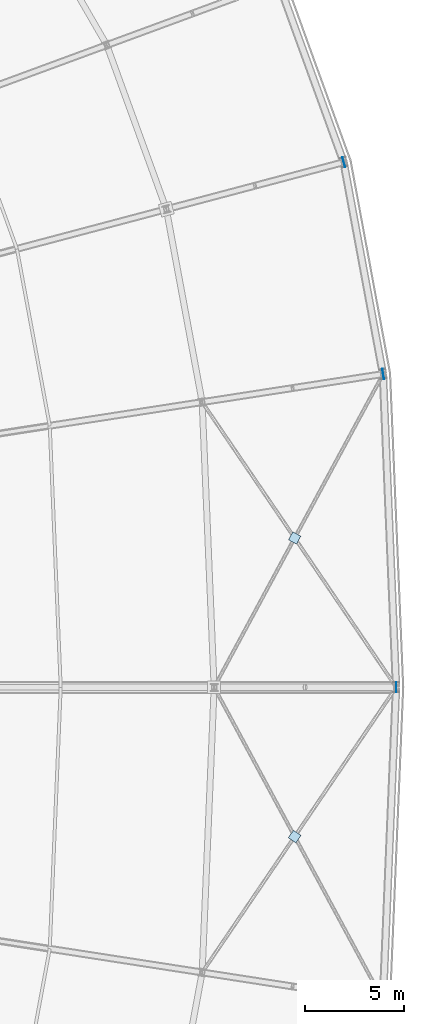
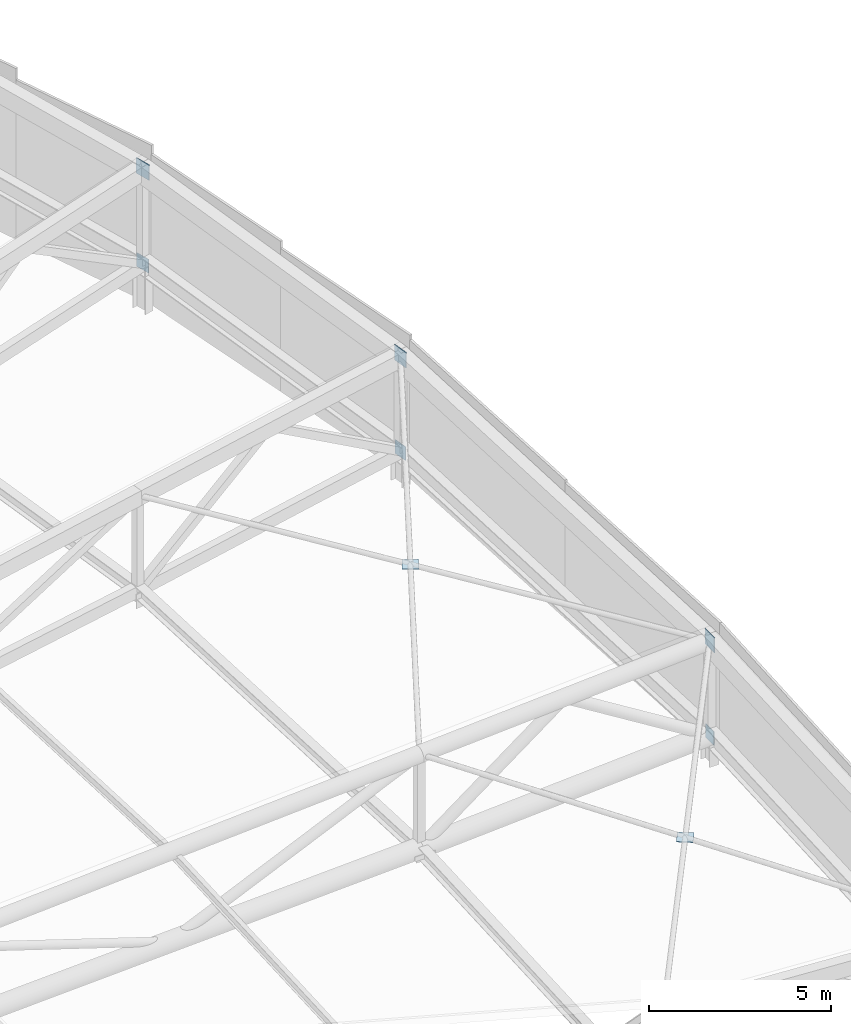
# One storey, part 129 of 143: 8 plates.
"""IFC4 building model written with IfcOpenShell, lengths in metres."""

from ifc_helpers import new_model, si_unit, direction, frame, origin, origin_2d, place, context, subcontext, project, spatial, rectangle, extrude, material, layer, layer_set, type_object, element, save


model = new_model("IFC4")

# Units and contexts
model_context = context("Model", 3, precision=1e-05, world=origin(), true_north=direction((0.0, 1.0)))
body_context = subcontext(model_context, "Body", "Model", "MODEL_VIEW")
ifc_project = project(units=[si_unit("LENGTHUNIT", "METRE"), si_unit("AREAUNIT", "SQUARE_METRE"), si_unit("VOLUMEUNIT", "CUBIC_METRE"), si_unit("PLANEANGLEUNIT", "RADIAN"), si_unit("MASSUNIT", "GRAM", prefix="KILO")], contexts=[model_context])

# Site, building, storey
site_placement = place(None, origin())
site = spatial("IfcSite", under=ifc_project, at=site_placement, CompositionType="ELEMENT")
building_placement = place(site_placement, origin())
building = spatial("IfcBuilding", under=site, at=building_placement, Name="Mphavela Belvedere Stadium", CompositionType="ELEMENT")
storey_placement = place(building_placement, frame((0.0, 0.0, 28.800048828125)))
storey = spatial("IfcBuildingStorey", under=building, at=storey_placement, Name="RF", CompositionType="ELEMENT", Elevation=28.800048828125)

# Plates
ifc_material_1 = material(Name="Steel S355", Category="steel")
ifc_layer_1 = layer(ifc_material_1, 0.01806640625)
ifc_layer_set_1 = layer_set([ifc_layer_1], Name="Steel S355")
plate_type_1 = type_object("IfcPlateType", Name="PLT-CAP-TRUSS-BC", PredefinedType="USERDEFINED", material=ifc_layer_set_1)
plate_1_placement = place(storey_placement, frame((217.820068359375, 87.0, 0.680908203125), z_axis=(0.0, 0.0, 1.0), x_axis=(1.0, 0.0, 0.0)))
element("IfcPlate", 1, at=plate_1_placement, inside=storey, type_object=plate_type_1, Name="Roof truss RT-01 hollow-end cap plate out_bc", ObjectType="GUSSET_PLATE", PredefinedType="USERDEFINED", context=body_context, shape_type="SweptSolid", body=[
    extrude(rectangle(XDim=0.01806640625, YDim=0.4599609375, at=origin_2d()), origin(), (0.0, 0.0, 1.0), 0.4599609375),
])
plate_2_placement = place(storey_placement, frame((212.6796875, 94.55078125, 3.826416015625), z_axis=(0.0, 0.0, 1.0), x_axis=(0.474856389871, 0.880063298291, 0.0)))
element("IfcPlate", 2, at=plate_2_placement, inside=storey, type_object=plate_type_1, Name="Roof X-brace crossing gusset node plate 01", ObjectType="GUSSET_PLATE", PredefinedType="USERDEFINED", context=body_context, shape_type="SweptSolid", body=[
    extrude(rectangle(XDim=0.4599609375, YDim=0.4599609375, at=origin_2d()), origin(), (0.0, 0.0, 1.0), 0.01806640625),
])
for number, where, z_axis, x_axis, name in (
    (3, (217.155517578125, 102.844970703125, 0.844482421875), (0.0, 0.0, 1.0), (0.98817491911, 0.153330783737, 0.0), "Roof truss RT-02 hollow-end cap plate out_bc"),
    (4, (215.16455078125, 113.5625, 1.323974609375), (0.0, 0.0, 1.0), (0.966600102017, 0.256289373133, 0.0), "Roof truss RT-03 hollow-end cap plate out_bc"),
):
    element("IfcPlate", number, at=place(storey_placement, frame(where, z_axis=z_axis, x_axis=x_axis)), inside=storey, type_object=plate_type_1, Name=name, ObjectType="GUSSET_PLATE", PredefinedType="USERDEFINED", context=body_context, shape_type="SweptSolid", body=[
        extrude(rectangle(XDim=0.01806640625, YDim=0.4599609375, at=origin_2d()), origin(), (0.0, 0.0, 1.0), 0.4599609375),
    ])
plate_3_placement = place(storey_placement, frame((212.6796875, 79.44921875, 3.826416015625), z_axis=(0.0, 0.0, 1.0), x_axis=(0.562804927695, 0.826589749127, 0.0)))
element("IfcPlate", 5, at=plate_3_placement, inside=storey, type_object=plate_type_1, Name="Roof X-brace crossing gusset node plate 48", ObjectType="GUSSET_PLATE", PredefinedType="USERDEFINED", context=body_context, shape_type="SweptSolid", body=[
    extrude(rectangle(XDim=0.4599609375, YDim=0.4599609375, at=origin_2d()), origin(), (0.0, 0.0, 1.0), 0.01806640625),
])
ifc_material_2 = material(Name="Steel S355", Category="steel")
ifc_layer_2 = layer(ifc_material_2, 0.02001953125)
ifc_layer_set_2 = layer_set([ifc_layer_2], Name="Steel S355")
plate_type_2 = type_object("IfcPlateType", Name="PLT-CAP-TRUSS-TC", PredefinedType="USERDEFINED", material=ifc_layer_set_2)
for number, where, z_axis, x_axis, name in (
    (6, (217.820068359375, 87.0, 3.801025390625), (0.0, 0.0, 1.0), (1.0, 0.0, 0.0), "Roof truss RT-01 hollow-end cap plate out_tc"),
    (7, (217.155517578125, 102.844970703125, 3.964599609375), (0.0, 0.0, 1.0), (0.98817491911, 0.153330783737, 0.0), "Roof truss RT-02 hollow-end cap plate out_tc"),
    (8, (215.16455078125, 113.5625, 4.444091796875), (0.0, 0.0, 1.0), (0.966600102017, 0.256289373133, 0.0), "Roof truss RT-03 hollow-end cap plate out_tc"),
):
    element("IfcPlate", number, at=place(storey_placement, frame(where, z_axis=z_axis, x_axis=x_axis)), inside=storey, type_object=plate_type_2, Name=name, ObjectType="GUSSET_PLATE", PredefinedType="USERDEFINED", context=body_context, shape_type="SweptSolid", body=[
        extrude(rectangle(XDim=0.02001953125, YDim=0.52001953125, at=origin_2d()), origin(), (0.0, 0.0, 1.0), 0.52001953125),
    ])

save(model, "model.ifc")
